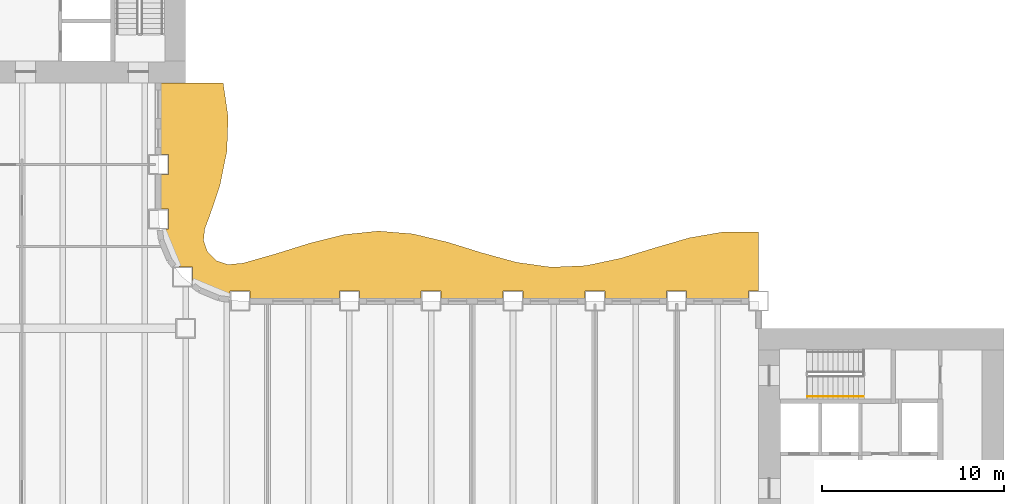
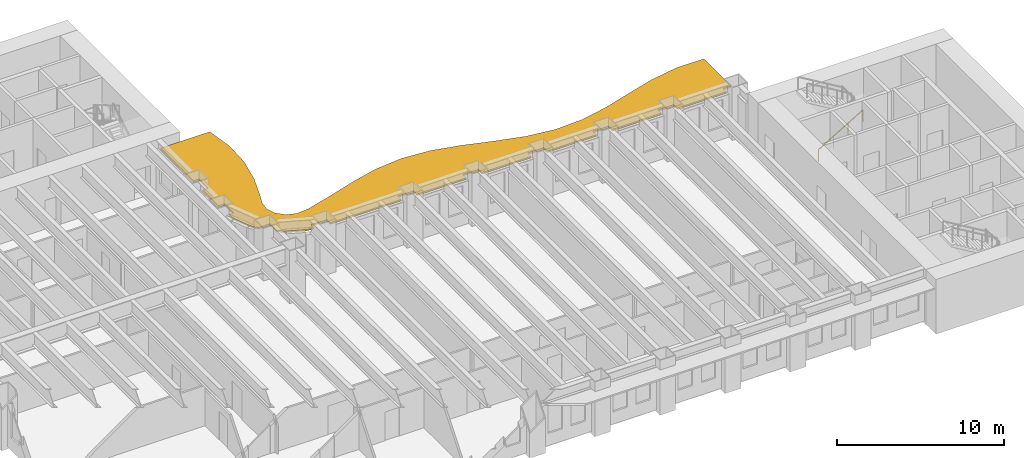
# One storey, part 15 of 17: 1 railing, 1 shading device.
"""IFC4 building model written with IfcOpenShell, lengths in metres."""

from ifc_helpers import new_model, si_unit, direction, frame, origin, origin_2d, place, context, subcontext, project, spatial, polyline, rectangle, outline, extrude, material, layer, layer_set, type_object, element, save


model = new_model("IFC4")

# Units and contexts
model_context = context("Model", 3, precision=1e-05, world=origin(), true_north=direction((0.0, 1.0)))
body_context = subcontext(model_context, "Body", "Model", "MODEL_VIEW")
ifc_project = project(units=[si_unit("LENGTHUNIT", "METRE"), si_unit("AREAUNIT", "SQUARE_METRE"), si_unit("VOLUMEUNIT", "CUBIC_METRE"), si_unit("PLANEANGLEUNIT", "RADIAN"), si_unit("MASSUNIT", "GRAM", prefix="KILO")], contexts=[model_context])

# Site, building, storey
site_placement = place(None, origin())
site = spatial("IfcSite", under=ifc_project, at=site_placement, CompositionType="ELEMENT")
building_placement = place(site_placement, origin())
building = spatial("IfcBuilding", under=site, at=building_placement, Name="Sennacour Bend Tower", CompositionType="ELEMENT")
storey_placement = place(building_placement, frame((0.0, 0.0, 53.0)))
storey = spatial("IfcBuildingStorey", under=building, at=storey_placement, Name="L11", CompositionType="ELEMENT", Elevation=53.0)

# Railing
ifc_material_1 = material(Name="Stainless steel", Category="steel")
railing_type = type_object("IfcRailingType", Name="RL-HANDRAIL-900", PredefinedType="HANDRAIL", material=ifc_material_1)
railing_placement = place(storey_placement, frame((56.699951171875, 18.75, 0.166748046875)))
element("IfcRailing", 1, at=railing_placement, inside=storey, type_object=railing_type, Name="L11 SA2 stair handrail 1", PredefinedType="HANDRAIL", context=body_context, shape_type="SweptSolid", body=[
    extrude(rectangle(XDim=0.048095703125, YDim=0.048095703125, at=origin_2d()), frame((0.0, 0.0, 0.8759765625), z_axis=(0.859308565015, 0.0, 0.511457515432), x_axis=(0.0, 1.0, 0.0)), (0.0, 0.0, 1.0), 3.58447265625),
    extrude(rectangle(XDim=0.0419921875, YDim=0.0419921875, at=origin_2d()), origin(), (0.0, 0.0, 1.0), 0.851806640625),
    extrude(rectangle(XDim=0.0419921875, YDim=0.0419921875, at=origin_2d()), frame((1.026611328125, 0.0, 0.611083984375)), (0.0, 0.0, 1.0), 0.851806640625),
    extrude(rectangle(XDim=0.0419921875, YDim=0.0419921875, at=origin_2d()), frame((2.053466796875, 0.0, 1.22216796875)), (0.0, 0.0, 1.0), 0.851806640625),
    extrude(rectangle(XDim=0.0419921875, YDim=0.0419921875, at=origin_2d()), frame((3.080078125, 0.0, 1.833251953125)), (0.0, 0.0, 1.0), 0.851806640625),
])

# Shading device
ifc_material_2 = material(Name="Bronze anodised aluminium", Category="aluminium")
ifc_layer = layer(ifc_material_2, 0.1201171875, Name="Bronze anodised aluminium", Category="aluminium")
ifc_layer_set = layer_set([ifc_layer], Name="Bronze anodised aluminium")
shading_device_type = type_object("IfcShadingDeviceType", Name="SUNSHADE BAND WAVE", PredefinedType="USERDEFINED", material=ifc_layer_set)
shading_device_placement = place(storey_placement, frame((0.0, 0.0, 3.02392578125)))
element("IfcShadingDevice", 2, at=shading_device_placement, inside=storey, type_object=shading_device_type, Name="Sunshade band L11 concave faces", ObjectType="SUNSHADE", PredefinedType="USERDEFINED", context=body_context, shape_type="SweptSolid", body=[
    extrude(outline(polyline([(53.449951171875, 24.14990234375), (50.050048828125, 24.14990234375), (50.050048828125, 24.550048828125), (48.949951171875, 24.550048828125), (48.949951171875, 24.14990234375), (45.550048828125, 24.14990234375), (45.550048828125, 24.550048828125), (44.449951171875, 24.550048828125), (44.449951171875, 24.14990234375), (41.050048828125, 24.14990234375), (41.050048828125, 24.550048828125), (39.949951171875, 24.550048828125), (39.949951171875, 24.14990234375), (36.550048828125, 24.14990234375), (36.550048828125, 24.550048828125), (35.449951171875, 24.550048828125), (35.449951171875, 24.14990234375), (32.050048828125, 24.14990234375), (32.050048828125, 24.550048828125), (30.949951171875, 24.550048828125), (30.949951171875, 24.14990234375), (26.050048828125, 24.14990234375), (26.050048828125, 24.550048828125), (24.949951171875, 24.550048828125), (24.949951171875, 24.2236328125), (24.37451171875, 24.299560546875), (23.32568359375, 24.73388671875), (22.8681640625, 25.0849609375), (22.8681640625, 25.8681640625), (22.0849609375, 25.8681640625), (21.73388671875, 26.32568359375), (21.299560546875, 27.37451171875), (21.2236328125, 27.949951171875), (21.550048828125, 27.949951171875), (21.550048828125, 29.050048828125), (21.14990234375, 29.050048828125), (21.14990234375, 30.949951171875), (21.550048828125, 30.949951171875), (21.550048828125, 32.050048828125), (21.14990234375, 32.050048828125), (21.14990234375, 36.0), (24.560791015625, 36.0), (24.8330078125, 34.125), (24.76708984375, 32.25), (24.38623046875, 30.375), (23.82080078125, 28.684814453125), (23.548828125, 27.977294921875), (23.4814453125, 27.334716796875), (23.700439453125, 26.700439453125), (24.18359375, 26.219970703125), (24.831787109375, 26.005859375), (25.636474609375, 26.081787109375), (27.39990234375, 26.58056640625), (29.300048828125, 27.174072265625), (31.199951171875, 27.6533203125), (33.10009765625, 27.849365234375), (35.0, 27.693115234375), (36.89990234375, 27.2392578125), (38.800048828125, 26.648193359375), (40.699951171875, 26.12841796875), (42.60009765625, 25.863037109375), (44.5, 25.94580078125), (46.39990234375, 26.347412109375), (48.300048828125, 26.926025390625), (50.199951171875, 27.47802734375), (52.10009765625, 27.80859375), (54.0, 27.801025390625), (54.0, 24.550048828125), (53.449951171875, 24.550048828125), (53.449951171875, 24.14990234375)])), origin(), (0.0, 0.0, 1.0), 0.1201171875),
])

save(model, "model.ifc")
